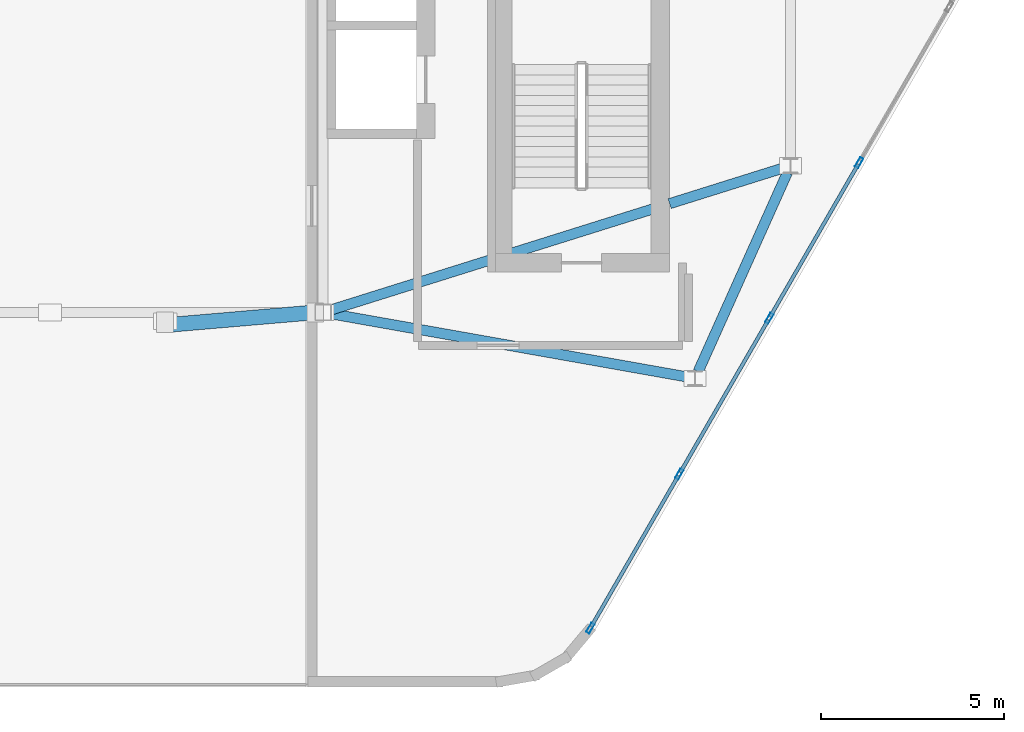
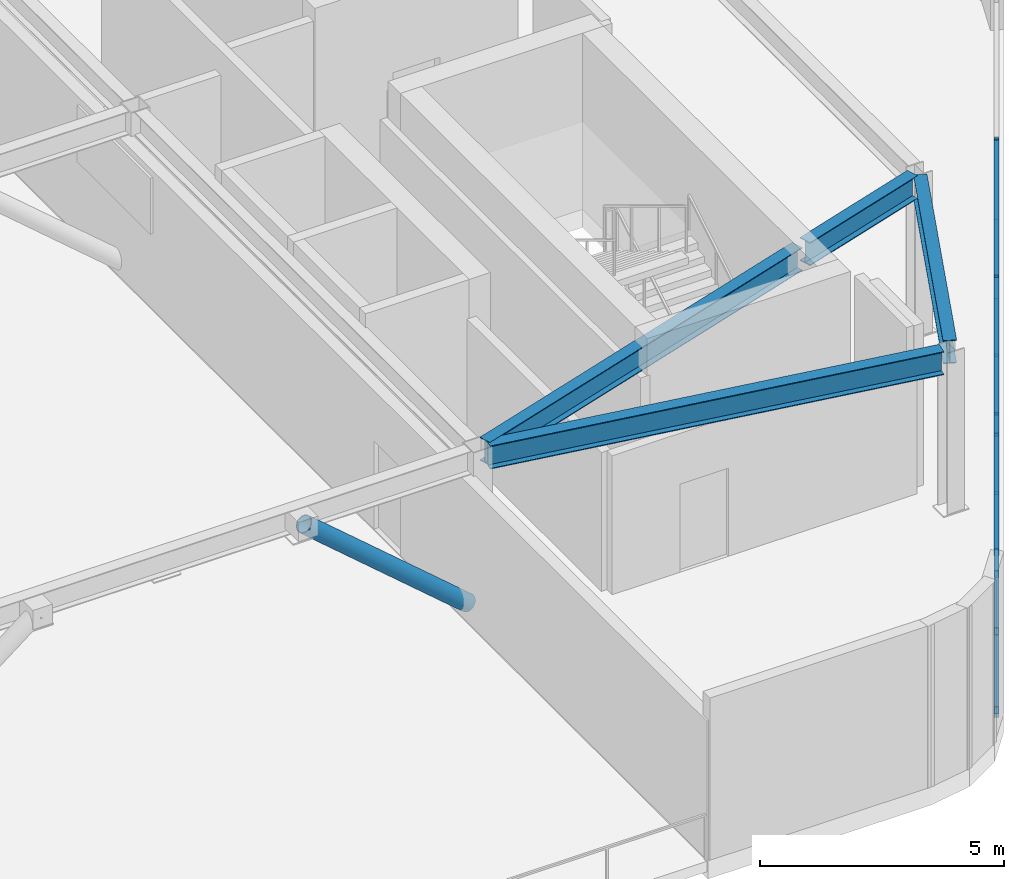
# One storey, part 7 of 17: 14 members, 4 beams, 1 element without a shape of its own.
"""IFC4 building model written with IfcOpenShell, lengths in metres."""

from ifc_helpers import new_model, si_unit, direction, frame, origin, origin_2d, place, context, subcontext, project, spatial, hollow_rectangle, hollow_circle, i_section, extrude, material, material_profile, profile_set, type_object, element, aggregate, save


model = new_model("IFC4")

# Units and contexts
model_context = context("Model", 3, precision=1e-05, world=origin(), true_north=direction((0.0, 1.0)))
body_context = subcontext(model_context, "Body", "Model", "MODEL_VIEW")
ifc_project = project(units=[si_unit("LENGTHUNIT", "METRE"), si_unit("AREAUNIT", "SQUARE_METRE"), si_unit("VOLUMEUNIT", "CUBIC_METRE"), si_unit("PLANEANGLEUNIT", "RADIAN"), si_unit("MASSUNIT", "GRAM", prefix="KILO")], contexts=[model_context])

# Site, building, storey
site_placement = place(None, origin())
site = spatial("IfcSite", under=ifc_project, at=site_placement, CompositionType="ELEMENT")
building_placement = place(site_placement, origin())
building = spatial("IfcBuilding", under=site, at=building_placement, Name="Zuhravey Tower", CompositionType="ELEMENT")
storey_placement = place(building_placement, frame((0.0, 0.0, 361.39990234375)))
storey = spatial("IfcBuildingStorey", under=building, at=storey_placement, Name="L92", CompositionType="ELEMENT", Elevation=361.39990234375)

# Curtain wall, members
ifc_material_1 = material(Name="Thermally broken anodised aluminium", Category="aluminium")
curtain_wall_type = type_object("IfcCurtainWallType", Name="Split-Top Crown Screened Curtain Wall CW6", PredefinedType="NOTDEFINED", material=ifc_material_1)
curtain_wall_placement = place(storey_placement, origin())
curtain_wall = element("IfcCurtainWall", 1, at=curtain_wall_placement, inside=storey, type_object=curtain_wall_type, Name="L92 CW6 CW6-L92-EAST-08", PredefinedType="NOTDEFINED")
ifc_material_2 = material(Name="Anodised aluminium", Category="aluminium")
ifc_material_profile_1 = material_profile(ifc_material_2, hollow_rectangle(XDim=0.10009765625, YDim=0.2900390625, WallThickness=0.006103515625, at=origin_2d()), Name="ALU-RHS-100x290x6")
ifc_profile_set_1 = profile_set([ifc_material_profile_1], Name="Anodised aluminium")
member_type_1 = type_object("IfcMemberType", Name="Heavy Tall-Storey Mullion 100x220", PredefinedType="MULLION", material=ifc_profile_set_1)
member_1_placement = place(storey_placement, frame((58.0751953125, 22.087158203125, 0.0), z_axis=(0.0, 0.0, 1.0), x_axis=(0.866027063754, -0.499997124838, 0.0)))
member_1 = element("IfcMember", 2, at=member_1_placement, type_object=member_type_1, Name="CW6 mullion 3", PredefinedType="MULLION", context=body_context, shape_type="SweptSolid", body=[
    extrude(hollow_rectangle(XDim=0.10009765625, YDim=0.2900390625, WallThickness=0.006103515625, at=origin_2d()), origin(), (0.0, 0.0, 1.0), 4.050048828125),
])
member_2_placement = place(storey_placement, frame((55.622314453125, 17.838623046875, 0.0), z_axis=(0.0, 0.0, 1.0), x_axis=(0.866027063754, -0.499997124838, 0.0)))
member_2 = element("IfcMember", 3, at=member_2_placement, type_object=member_type_1, Name="CW6 mullion 4", PredefinedType="MULLION", context=body_context, shape_type="SweptSolid", body=[
    extrude(hollow_rectangle(XDim=0.10009765625, YDim=0.2900390625, WallThickness=0.006103515625, at=origin_2d()), origin(), (0.0, 0.0, 1.0), 4.050048828125),
])
member_3_placement = place(storey_placement, frame((53.16943359375, 13.590087890625, 0.0), z_axis=(0.0, 0.0, 1.0), x_axis=(0.866027063754, -0.499997124838, 0.0)))
member_3 = element("IfcMember", 4, at=member_3_placement, type_object=member_type_1, Name="CW6 mullion 5", PredefinedType="MULLION", context=body_context, shape_type="SweptSolid", body=[
    extrude(hollow_rectangle(XDim=0.10009765625, YDim=0.2900390625, WallThickness=0.006103515625, at=origin_2d()), origin(), (0.0, 0.0, 1.0), 4.050048828125),
])
member_4_placement = place(storey_placement, frame((50.741455078125, 9.384765625, 0.0), z_axis=(0.0, 0.0, 1.0), x_axis=(0.866027063754, -0.499997124838, 0.0)))
member_4 = element("IfcMember", 5, at=member_4_placement, type_object=member_type_1, Name="CW6 mullion 6", PredefinedType="MULLION", context=body_context, shape_type="SweptSolid", body=[
    extrude(hollow_rectangle(XDim=0.10009765625, YDim=0.2900390625, WallThickness=0.006103515625, at=origin_2d()), origin(), (0.0, 0.0, 1.0), 4.050048828125),
])

# Beams
ifc_material_3 = material(Name="Steel SM355", Category="steel")
ifc_material_profile_2 = material_profile(ifc_material_3, i_section(OverallWidth=0.280029296875, OverallDepth=0.580078125, WebThickness=0.011962890625, FlangeThickness=0.01904296875, at=origin_2d()), Name="H-580x280x12x19")
ifc_profile_set_2 = profile_set([ifc_material_profile_2], Name="Steel SM355")
beam_type = type_object("IfcBeamType", Name="Perimeter Ring Beam H580x280", PredefinedType="BEAM", material=ifc_profile_set_2)
beam_1_placement = place(storey_placement, frame((56.116455078125, 21.81396484375, 3.760009765625), z_axis=(-0.409053547057, -0.912510381113, 0.0), x_axis=(0.912510381113, -0.409053547057, 0.0)))
element("IfcBeam", 6, at=beam_1_placement, inside=storey, type_object=beam_type, Name="L92 PB4 BM-L92-ECR-0-2", PredefinedType="BEAM", context=body_context, shape_type="SweptSolid", body=[
    extrude(i_section(OverallWidth=0.280029296875, OverallDepth=0.580078125, WebThickness=0.011962890625, FlangeThickness=0.01904296875, at=origin_2d()), origin(), (0.0, 0.0, 1.0), 5.9482421875),
])
beam_2_placement = place(storey_placement, frame((53.399169921875, 16.235595703125, 3.760009765625), z_axis=(-0.984637117377, 0.174613135483, 0.0), x_axis=(-0.174613135483, -0.984637117377, 0.0)))
element("IfcBeam", 7, at=beam_2_placement, inside=storey, type_object=beam_type, Name="L92 PB4 BM-L92-ECR-2-4", PredefinedType="BEAM", context=body_context, shape_type="SweptSolid", body=[
    extrude(i_section(OverallWidth=0.280029296875, OverallDepth=0.580078125, WebThickness=0.011962890625, FlangeThickness=0.01904296875, at=origin_2d()), origin(), (0.0, 0.0, 1.0), 9.875244140625),
])
beam_3_placement = place(storey_placement, frame((56.00537109375, 21.93896484375, 3.760009765625), z_axis=(-0.95415195588, -0.299322643799, 0.0), x_axis=(0.299322643799, -0.95415195588, 0.0)))
element("IfcBeam", 8, at=beam_3_placement, inside=storey, type_object=beam_type, Name="L92 PB4 BM-L92-ECR-0-4 (1)", PredefinedType="BEAM", context=body_context, shape_type="SweptSolid", body=[
    extrude(i_section(OverallWidth=0.280029296875, OverallDepth=0.580078125, WebThickness=0.011962890625, FlangeThickness=0.01904296875, at=origin_2d()), origin(), (0.0, 0.0, 1.0), 3.250244140625),
])
beam_4_placement = place(storey_placement, frame((52.680908203125, 20.89599609375, 3.760009765625), z_axis=(-0.954147790341, -0.299335921981, 0.0), x_axis=(0.299335921981, -0.954147790341, 0.0)))
element("IfcBeam", 9, at=beam_4_placement, inside=storey, type_object=beam_type, Name="L92 PB4 BM-L92-ECR-0-4 (2)", PredefinedType="BEAM", context=body_context, shape_type="SweptSolid", body=[
    extrude(i_section(OverallWidth=0.280029296875, OverallDepth=0.580078125, WebThickness=0.011962890625, FlangeThickness=0.01904296875, at=origin_2d()), origin(), (0.0, 0.0, 1.0), 9.445556640625),
])

# Member
ifc_material_profile_3 = material_profile(ifc_material_2, hollow_rectangle(XDim=0.10009765625, YDim=0.179931640625, WallThickness=0.006103515625, at=origin_2d()), Name="ALU-RHS-100x180x6")
ifc_profile_set_3 = profile_set([ifc_material_profile_3], Name="Anodised aluminium")
member_type_2 = type_object("IfcMemberType", Name="Tall-Storey Transom 100x180", PredefinedType="USERDEFINED", material=ifc_profile_set_3)
member_5_placement = place(storey_placement, frame((58.05029296875, 22.0439453125, 0.050048828125), z_axis=(-0.50003466983, -0.866005386223, 0.0), x_axis=(0.866005386223, -0.50003466983, 0.0)))
member_5 = element("IfcMember", 10, at=member_5_placement, type_object=member_type_2, Name="CW6 transom 3.1", ObjectType="TRANSOM", PredefinedType="USERDEFINED", context=body_context, shape_type="SweptSolid", body=[
    extrude(hollow_rectangle(XDim=0.10009765625, YDim=0.179931640625, WallThickness=0.006103515625, at=origin_2d()), origin(), (0.0, 0.0, 1.0), 4.805908203125),
])

member_6_placement = place(storey_placement, frame((58.05029296875, 22.0439453125, 2.025146484375), z_axis=(-0.50003466983, -0.866005386223, 0.0), x_axis=(0.866005386223, -0.50003466983, 0.0)))
member_6 = element("IfcMember", 11, at=member_6_placement, type_object=member_type_2, Name="CW6 transom 3.2", ObjectType="TRANSOM", PredefinedType="USERDEFINED", context=body_context, shape_type="SweptSolid", body=[
    extrude(hollow_rectangle(XDim=0.10009765625, YDim=0.179931640625, WallThickness=0.006103515625, at=origin_2d()), origin(), (0.0, 0.0, 1.0), 4.805908203125),
])

member_7_placement = place(storey_placement, frame((58.05029296875, 22.0439453125, 4.0), z_axis=(-0.50003466983, -0.866005386223, 0.0), x_axis=(0.866005386223, -0.50003466983, 0.0)))
member_7 = element("IfcMember", 12, at=member_7_placement, type_object=member_type_2, Name="CW6 transom 3.3", ObjectType="TRANSOM", PredefinedType="USERDEFINED", context=body_context, shape_type="SweptSolid", body=[
    extrude(hollow_rectangle(XDim=0.10009765625, YDim=0.179931640625, WallThickness=0.006103515625, at=origin_2d()), origin(), (0.0, 0.0, 1.0), 4.805908203125),
])

member_8_placement = place(storey_placement, frame((55.597412109375, 17.79541015625, 0.050048828125), z_axis=(-0.500012672123, -0.866018087407, 0.0), x_axis=(0.866018087407, -0.500012672123, 0.0)))
member_8 = element("IfcMember", 13, at=member_8_placement, type_object=member_type_2, Name="CW6 transom 4.1", ObjectType="TRANSOM", PredefinedType="USERDEFINED", context=body_context, shape_type="SweptSolid", body=[
    extrude(hollow_rectangle(XDim=0.10009765625, YDim=0.179931640625, WallThickness=0.006103515625, at=origin_2d()), origin(), (0.0, 0.0, 1.0), 4.80615234375),
])

member_9_placement = place(storey_placement, frame((55.597412109375, 17.79541015625, 2.025146484375), z_axis=(-0.500012672123, -0.866018087407, 0.0), x_axis=(0.866018087407, -0.500012672123, 0.0)))
member_9 = element("IfcMember", 14, at=member_9_placement, type_object=member_type_2, Name="CW6 transom 4.2", ObjectType="TRANSOM", PredefinedType="USERDEFINED", context=body_context, shape_type="SweptSolid", body=[
    extrude(hollow_rectangle(XDim=0.10009765625, YDim=0.179931640625, WallThickness=0.006103515625, at=origin_2d()), origin(), (0.0, 0.0, 1.0), 4.80615234375),
])

member_10_placement = place(storey_placement, frame((55.597412109375, 17.79541015625, 4.0), z_axis=(-0.500012672123, -0.866018087407, 0.0), x_axis=(0.866018087407, -0.500012672123, 0.0)))
member_10 = element("IfcMember", 15, at=member_10_placement, type_object=member_type_2, Name="CW6 transom 4.3", ObjectType="TRANSOM", PredefinedType="USERDEFINED", context=body_context, shape_type="SweptSolid", body=[
    extrude(hollow_rectangle(XDim=0.10009765625, YDim=0.179931640625, WallThickness=0.006103515625, at=origin_2d()), origin(), (0.0, 0.0, 1.0), 4.80615234375),
])

member_11_placement = place(storey_placement, frame((53.144287109375, 13.546875, 0.050048828125), z_axis=(-0.499965384433, -0.866045388169, 0.0), x_axis=(0.866045388169, -0.499965384433, 0.0)))
member_11 = element("IfcMember", 16, at=member_11_placement, type_object=member_type_2, Name="CW6 transom 5.1", ObjectType="TRANSOM", PredefinedType="USERDEFINED", context=body_context, shape_type="SweptSolid", body=[
    extrude(hollow_rectangle(XDim=0.10009765625, YDim=0.179931640625, WallThickness=0.006103515625, at=origin_2d()), origin(), (0.0, 0.0, 1.0), 4.755615234375),
])

member_12_placement = place(storey_placement, frame((53.144287109375, 13.546875, 2.025146484375), z_axis=(-0.499965384433, -0.866045388169, 0.0), x_axis=(0.866045388169, -0.499965384433, 0.0)))
member_12 = element("IfcMember", 17, at=member_12_placement, type_object=member_type_2, Name="CW6 transom 5.2", ObjectType="TRANSOM", PredefinedType="USERDEFINED", context=body_context, shape_type="SweptSolid", body=[
    extrude(hollow_rectangle(XDim=0.10009765625, YDim=0.179931640625, WallThickness=0.006103515625, at=origin_2d()), origin(), (0.0, 0.0, 1.0), 4.755615234375),
])

member_13_placement = place(storey_placement, frame((53.144287109375, 13.546875, 4.0), z_axis=(-0.499965384433, -0.866045388169, 0.0), x_axis=(0.866045388169, -0.499965384433, 0.0)))
member_13 = element("IfcMember", 18, at=member_13_placement, type_object=member_type_2, Name="CW6 transom 5.3", ObjectType="TRANSOM", PredefinedType="USERDEFINED", context=body_context, shape_type="SweptSolid", body=[
    extrude(hollow_rectangle(XDim=0.10009765625, YDim=0.179931640625, WallThickness=0.006103515625, at=origin_2d()), origin(), (0.0, 0.0, 1.0), 4.755615234375),
])

aggregate(curtain_wall, [member_1, member_2, member_3, member_4, member_5, member_6, member_7, member_8, member_9, member_10, member_11, member_12, member_13])

ifc_material_profile_4 = material_profile(ifc_material_3, hollow_circle(Radius=0.203125, WallThickness=0.02001953125, at=origin_2d()), Name="CHS-406.4x20")
ifc_profile_set_4 = profile_set([ifc_material_profile_4], Name="Steel SM355")
member_type_3 = type_object("IfcMemberType", Name="Wind-Portal Arch Brace CHS406x20", PredefinedType="BRACE", material=ifc_profile_set_4)
member_14_placement = place(storey_placement, frame((43.219482421875, 17.999755859375, 0.181396484375), z_axis=(-0.747122272379, -0.063852005514, 0.661612599265), x_axis=(0.085153511528, -0.996367843457, 0.0)))
element("IfcMember", 19, at=member_14_placement, inside=storey, type_object=member_type_3, Name="L92 Wind-Portal Arch Brace WPB1-1E", PredefinedType="BRACE", context=body_context, shape_type="SweptSolid", body=[
    extrude(hollow_circle(Radius=0.203125, WallThickness=0.02001953125, at=origin_2d()), origin(), (0.0, 0.0, 1.0), 5.44482421875),
])

save(model, "model.ifc")
